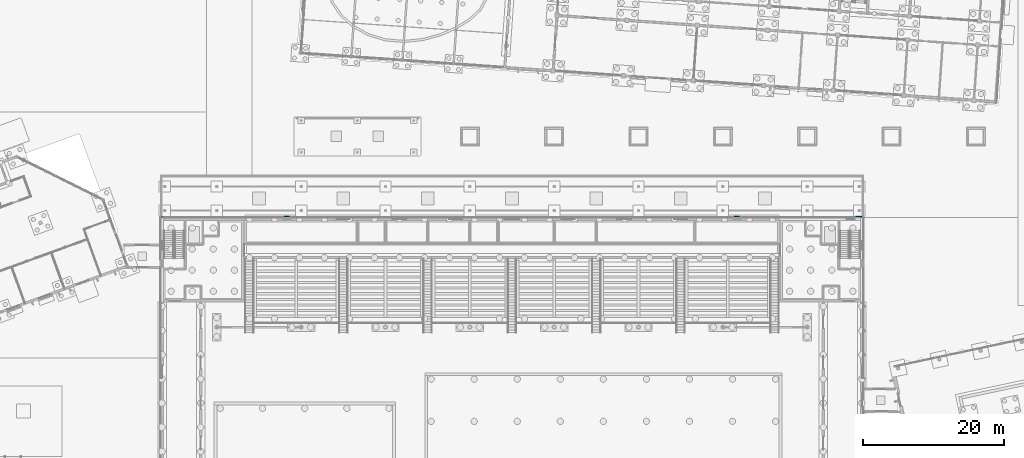
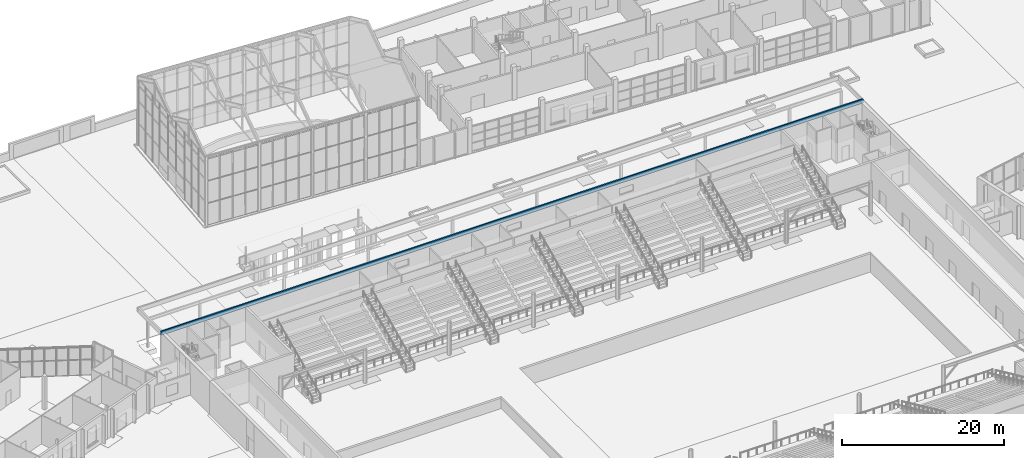
# One storey, part 96 of 157: 1 wall.
"""IFC4 building model written with IfcOpenShell, lengths in metres."""

import ifcopenshell
import ifcopenshell.guid

model = None  # the IFC model being written
_history = None  # IfcOwnerHistory: only IFC2X3 demands one
_inside = {}  # id of a spatial element -> (the spatial element, [elements in it])
_under = {}  # id of a project, library or spatial element -> (it, [spatial elements below it])
_declared = {}  # id of a project -> (the project, [libraries it declares])
_typed = {}  # id of a type object -> (the type object, [elements of that type])
_made_of = {}  # id of a material, layer set ... -> (it, [elements and type objects made of it])


def new_model(schema):
    """Start an empty IFC model of exactly this schema.

    Asked for "IFC4X3", IfcOpenShell would pick the latest addendum, in which some entities
    have other attributes; the version numbers below select the first issue.
    IFC2X3 requires an IfcOwnerHistory on every rooted entity: one is made here for all.
    """
    global model, _history
    if schema == "IFC4X3":
        model = ifcopenshell.file(schema_version=(4, 3, 0, 0))
    else:
        model = ifcopenshell.file(schema=schema)
    _inside.clear()
    _under.clear()
    _declared.clear()
    _typed.clear()
    _made_of.clear()
    _history = None
    if model.schema == "IFC2X3":
        org = make("IfcOrganization", Name="unknown")
        user = make(
            "IfcPersonAndOrganization",
            ThePerson=make("IfcPerson", FamilyName="unknown"),
            TheOrganization=org,
        )
        app = make(
            "IfcApplication",
            ApplicationDeveloper=org,
            Version="unknown",
            ApplicationFullName="unknown",
            ApplicationIdentifier="unknown",
        )
        _history = make(
            "IfcOwnerHistory",
            OwningUser=user,
            OwningApplication=app,
            ChangeAction="ADDED",
            CreationDate=0,
        )
    return model


def make(cls, **values):
    """One entity of the class cls with the attributes given. An attribute that is None is left unset."""
    return model.create_entity(
        cls, **{name: value for name, value in values.items() if value is not None}
    )


def rooted(cls, **values):
    """An entity with a GlobalId (a new one), such as an element, a storey or a relation."""
    return make(cls, GlobalId=ifcopenshell.guid.new(), OwnerHistory=_history, **values)


def si_unit(unit_type, name, prefix=None):
    """IfcSIUnit, for example si_unit("LENGTHUNIT", "METRE", prefix="MILLI")."""
    return make("IfcSIUnit", UnitType=unit_type, Prefix=prefix, Name=name)


def assignment(units):
    """IfcUnitAssignment: the units of a project."""
    return None if units is None else make("IfcUnitAssignment", Units=units)


def point(xyz):
    """IfcCartesianPoint."""
    return None if xyz is None else make("IfcCartesianPoint", Coordinates=xyz)


def direction(xyz):
    """IfcDirection."""
    return None if xyz is None else make("IfcDirection", DirectionRatios=xyz)


def frame(location, z_axis=None, x_axis=None):
    """IfcAxis2Placement3D, a coordinate frame: its origin and axes. An axis left out is left unset."""
    return make(
        "IfcAxis2Placement3D",
        Location=point(location),
        Axis=direction(z_axis),
        RefDirection=direction(x_axis),
    )


def frame_2d(location, x_axis=None):
    """IfcAxis2Placement2D, a coordinate frame in the plane: its origin and x axis."""
    return make(
        "IfcAxis2Placement2D", Location=point(location), RefDirection=direction(x_axis)
    )


def origin():
    """The frame at (0, 0, 0) with its axes left unset."""
    return frame((0.0, 0.0, 0.0))


def place(relative_to, where):
    """IfcLocalPlacement: puts the frame where relative to a parent placement (None: the world)."""
    return make(
        "IfcLocalPlacement", PlacementRelTo=relative_to, RelativePlacement=where
    )


def context(
    kind, dimensions, precision=None, world=None, true_north=None, identifier=None
):
    """IfcGeometricRepresentationContext, for example the 3D "Model" context."""
    return make(
        "IfcGeometricRepresentationContext",
        ContextIdentifier=identifier,
        ContextType=kind,
        CoordinateSpaceDimension=dimensions,
        Precision=precision,
        WorldCoordinateSystem=world,
        TrueNorth=true_north,
    )


def subcontext(parent, identifier, kind, view, scale=None):
    """IfcGeometricRepresentationSubContext, for example "Body" below "Model"."""
    return make(
        "IfcGeometricRepresentationSubContext",
        ContextIdentifier=identifier,
        ContextType=kind,
        ParentContext=parent,
        TargetScale=scale,
        TargetView=view,
    )


def project(units=None, contexts=None):
    """IfcProject with its units and contexts."""
    return rooted(
        "IfcProject",
        Name="project",
        RepresentationContexts=contexts,
        UnitsInContext=assignment(units),
    )


def spatial(cls, under=None, at=None, **own):
    """A site, building, storey or space (cls), placed at a placement, below another one or the project."""
    s = rooted(cls, ObjectPlacement=at, **own)
    if under is not None:
        _under.setdefault(under.id(), (under, []))[1].append(s)
    return s


def profile(cls, at=None, kind="AREA", **sizes):
    """A parametric profile (cls). Its sizes go by their IFC names, for example OverallWidth=200.0."""
    return make(cls, ProfileType=kind, Position=at, **sizes)


def rectangle(**sizes):
    """IfcRectangleProfileDef."""
    return profile("IfcRectangleProfileDef", **sizes)


def extrude(swept, where, along, depth):
    """IfcExtrudedAreaSolid: the profile swept, set in the frame where, extruded along a direction by depth."""
    return make(
        "IfcExtrudedAreaSolid",
        SweptArea=swept,
        Position=where,
        ExtrudedDirection=direction(along),
        Depth=depth,
    )


def shape(context_of_items, identifier, shape_type, items):
    """IfcShapeRepresentation: the items that make up one representation, for example the "Body"."""
    return make(
        "IfcShapeRepresentation",
        ContextOfItems=context_of_items,
        RepresentationIdentifier=identifier,
        RepresentationType=shape_type,
        Items=items,
    )


def material(Name=None, Category=None):
    """IfcMaterial."""
    return make("IfcMaterial", Name=Name, Category=Category)


def layer(
    of_material, thickness, ventilated=None, Name=None, Category=None, Priority=None
):
    """IfcMaterialLayer: one layer of a wall or slab, of a material (None: an air gap)."""
    return make(
        "IfcMaterialLayer",
        Material=of_material,
        LayerThickness=thickness,
        IsVentilated=ventilated,
        Name=Name,
        Category=Category,
        Priority=Priority,
    )


def layer_set(layers, Name=None):
    """IfcMaterialLayerSet."""
    return make("IfcMaterialLayerSet", MaterialLayers=layers, LayerSetName=Name)


def made_of(thing, what):
    """Note that an element or type object is made of a material, layer set ...; save() writes the relation."""
    if what is not None:
        _made_of.setdefault(what.id(), (what, []))[1].append(thing)
    return thing


def type_object(cls, material=None, **own):
    """A type object (cls), such as IfcWallType, which elements share."""
    return made_of(rooted(cls, **own), material)


def element(
    cls,
    number,
    at=None,
    inside=None,
    cuts=None,
    type_object=None,
    material=None,
    context=None,
    identifier="Body",
    shape_type=None,
    held_by="IfcProductDefinitionShape",
    body=None,
    shapes=None,
    **own,
):
    """One element of the class cls, such as IfcWall. Its Tag is "e" and its number.

    at: its placement. inside: the storey or other place that contains it. cuts: it is an
    opening in that element (IfcRelVoidsElement). A single representation is given by context,
    identifier, shape_type and body (its items); several are given by shapes. held_by: the class
    of the entity that holds the representations. save() writes the other relations.
    """
    e = rooted(cls, Tag="e%d" % number, ObjectPlacement=at, **own)
    if body is not None:
        shapes = [shape(context, identifier, shape_type, body)]
    if shapes is not None:
        e.Representation = make(held_by, Representations=shapes)
    if inside is not None:
        _inside.setdefault(inside.id(), (inside, []))[1].append(e)
    if cuts is not None:
        rooted(
            "IfcRelVoidsElement", RelatingBuildingElement=cuts, RelatedOpeningElement=e
        )
    if type_object is not None:
        _typed.setdefault(type_object.id(), (type_object, []))[1].append(e)
    return made_of(e, material)


def aggregate(whole, parts):
    """IfcRelAggregates: a whole, such as a stair, and the parts it consists of."""
    return rooted("IfcRelAggregates", RelatingObject=whole, RelatedObjects=parts)


def save(model, path):
    """Write the relations noted so far, then the file.

    IfcRelAggregates (storeys below a building ...), IfcRelContainedInSpatialStructure (elements
    in a storey), IfcRelDefinesByType, IfcRelAssociatesMaterial and IfcRelDeclares: one each for
    every whole, place, type object, material and project.
    """
    for whole, parts in _under.values():
        aggregate(whole, parts)
    for where, things in _inside.values():
        rooted(
            "IfcRelContainedInSpatialStructure",
            RelatedElements=things,
            RelatingStructure=where,
        )
    for kind, things in _typed.values():
        rooted("IfcRelDefinesByType", RelatedObjects=things, RelatingType=kind)
    for what, things in _made_of.values():
        rooted("IfcRelAssociatesMaterial", RelatedObjects=things, RelatingMaterial=what)
    for by, libraries in _declared.values():
        rooted("IfcRelDeclares", RelatingContext=by, RelatedDefinitions=libraries)
    model.write(path)


model = new_model("IFC4")

# Units and contexts
model_context = context("Model", 3, precision=1e-05, world=origin(), true_north=direction((0.0, 1.0)))
body_context = subcontext(model_context, "Body", "Model", "MODEL_VIEW")
ifc_project = project(units=[si_unit("LENGTHUNIT", "METRE"), si_unit("AREAUNIT", "SQUARE_METRE"), si_unit("VOLUMEUNIT", "CUBIC_METRE"), si_unit("PLANEANGLEUNIT", "RADIAN"), si_unit("MASSUNIT", "GRAM", prefix="KILO")], contexts=[model_context])

# Site, building, storey
site_placement = place(None, origin())
site = spatial("IfcSite", under=ifc_project, at=site_placement, CompositionType="ELEMENT")
building_placement = place(site_placement, origin())
building = spatial("IfcBuilding", under=site, at=building_placement, Name="Windward Yard Aquatics Centre", CompositionType="ELEMENT")
storey_placement = place(building_placement, origin())
storey = spatial("IfcBuildingStorey", under=building, at=storey_placement, Name="L00", CompositionType="ELEMENT", Elevation=0.0)

# Wall
ifc_material = material(Name="Concrete C35/45", Category="concrete")
ifc_layer = layer(ifc_material, 0.199951171875)
ifc_layer_set = layer_set([ifc_layer], Name="A arcade roof parapet 200")
wall_type = type_object("IfcWallType", Name="A arcade roof parapet 200", PredefinedType="PARAPET", material=ifc_layer_set)
wall_placement = place(storey_placement, frame((52.0, 96.10009765625, 4.60009765625), z_axis=(0.0, 0.0, 1.0), x_axis=(1.0, 0.0, 0.0)))
element("IfcWall", 1, at=wall_placement, inside=storey, type_object=wall_type, Name="A.W.PA.S", PredefinedType="PARAPET", context=body_context, shape_type="SweptSolid", body=[
    extrude(rectangle(XDim=100.0, YDim=0.199951171875, at=frame_2d((50.0, 0.0))), origin(), (0.0, 0.0, 1.0), 0.599853515625),
])

save(model, "model.ifc")
